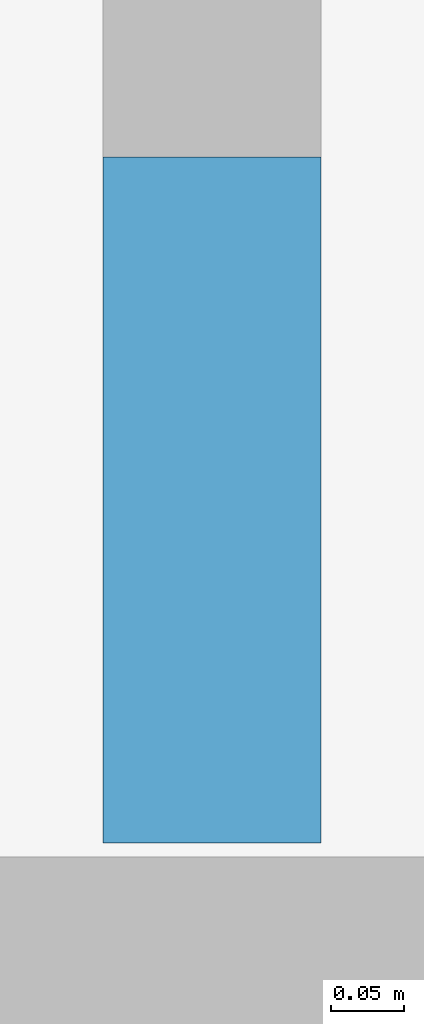
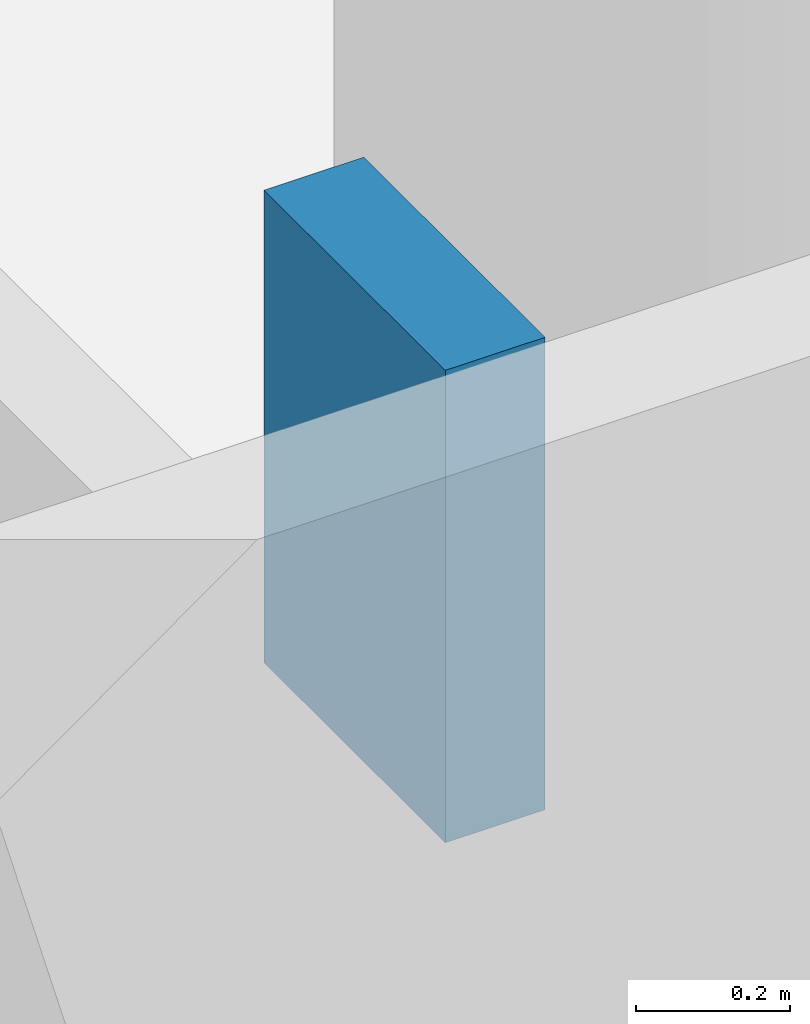
# One storey, part 95 of 142: 1 wall.
"""IFC4 building model written with IfcOpenShell, lengths in metres."""

from ifc_helpers import new_model, si_unit, direction, frame, frame_2d, origin, place, context, subcontext, project, spatial, rectangle, extrude, material, layer, layer_set, type_object, element, save


model = new_model("IFC4")

# Units and contexts
model_context = context("Model", 3, precision=1e-05, world=origin(), true_north=direction((0.0, 1.0)))
body_context = subcontext(model_context, "Body", "Model", "MODEL_VIEW")
ifc_project = project(units=[si_unit("LENGTHUNIT", "METRE"), si_unit("AREAUNIT", "SQUARE_METRE"), si_unit("VOLUMEUNIT", "CUBIC_METRE"), si_unit("PLANEANGLEUNIT", "RADIAN"), si_unit("MASSUNIT", "GRAM", prefix="KILO")], contexts=[model_context])

# Site, building, storey
site_placement = place(None, origin())
site = spatial("IfcSite", under=ifc_project, at=site_placement, CompositionType="ELEMENT")
building_placement = place(site_placement, origin())
building = spatial("IfcBuilding", under=site, at=building_placement, Name="Meseta Stadium", CompositionType="ELEMENT")
storey_placement = place(building_placement, frame((0.0, 0.0, -4.0)))
storey = spatial("IfcBuildingStorey", under=building, at=storey_placement, Name="B1", CompositionType="ELEMENT", Elevation=-4.0)

# Wall
ifc_material = material(Name="Masonry blockwork", Category="masonry")
ifc_layer = layer(ifc_material, 0.14990234375)
ifc_layer_set = layer_set([ifc_layer], Name="Partition 150")
wall_type = type_object("IfcWallType", Name="Partition 150", PredefinedType="PARTITIONING", material=ifc_layer_set)
wall_placement = place(storey_placement, frame((-86.125, 4.909912109375, 2.85009765625), z_axis=(0.0, 0.0, 1.0), x_axis=(0.0, 1.0, 0.0)))
element("IfcWall", 1, at=wall_placement, inside=storey, type_object=wall_type, Name="Stair vestibule wall B1 core 17", PredefinedType="PARTITIONING", context=body_context, shape_type="SweptSolid", body=[
    extrude(rectangle(XDim=0.4716796875, YDim=0.14990234375, at=frame_2d((0.23583984375, 0.0))), origin(), (0.0, 0.0, 1.0), 0.75),
])

save(model, "model.ifc")
